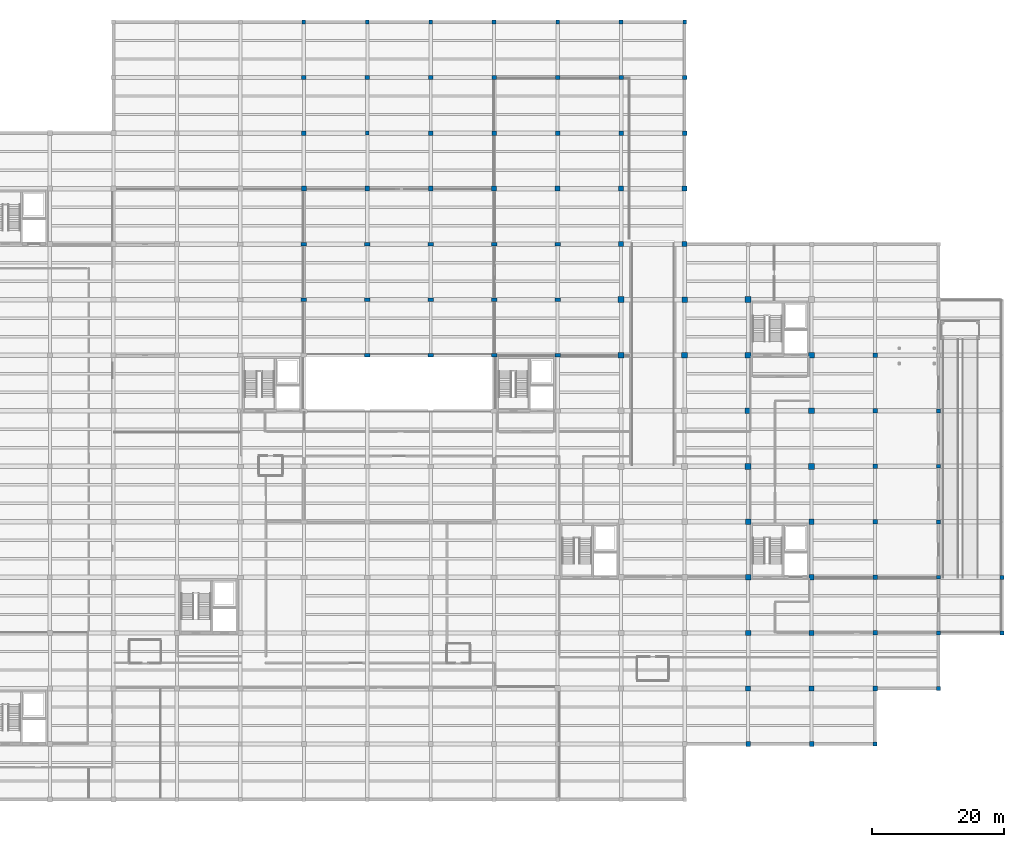
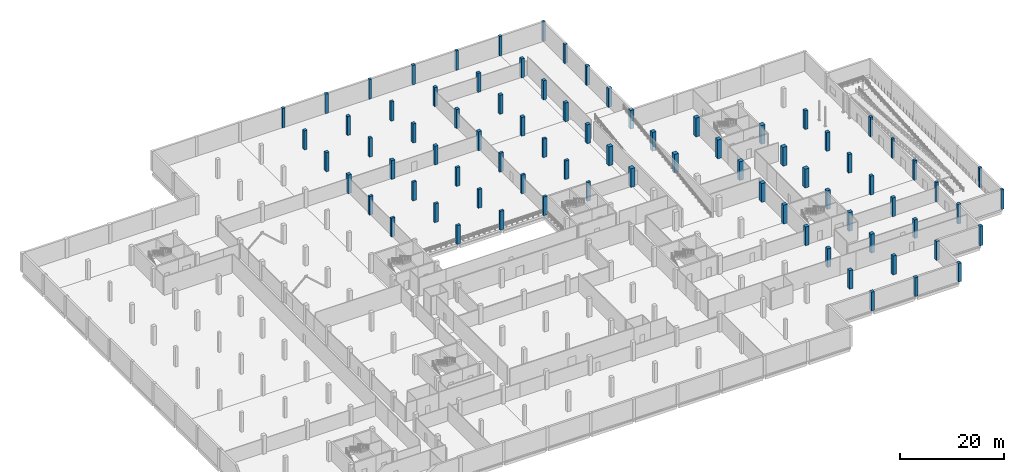
# One storey, part 2 of 30: 81 columns.
"""IFC4 building model written with IfcOpenShell, lengths in metres."""

from ifc_helpers import new_model, si_unit, direction, frame, origin, origin_2d, place, context, subcontext, project, spatial, rectangle, extrude, material, material_profile, profile_set, type_object, element, save


model = new_model("IFC4")

# Units and contexts
model_context = context("Model", 3, precision=1e-05, world=origin(), true_north=direction((0.0, 1.0)))
body_context = subcontext(model_context, "Body", "Model", "MODEL_VIEW")
ifc_project = project(units=[si_unit("LENGTHUNIT", "METRE"), si_unit("AREAUNIT", "SQUARE_METRE"), si_unit("VOLUMEUNIT", "CUBIC_METRE"), si_unit("PLANEANGLEUNIT", "RADIAN"), si_unit("MASSUNIT", "GRAM", prefix="KILO")], contexts=[model_context])

# Site, building, storey
site_placement = place(None, origin())
site = spatial("IfcSite", under=ifc_project, at=site_placement, CompositionType="ELEMENT")
building_placement = place(site_placement, origin())
building = spatial("IfcBuilding", under=site, at=building_placement, Name="Lornevale Opera House", CompositionType="ELEMENT")
storey_placement = place(building_placement, frame((0.0, 0.0, -4.800048828125)))
storey = spatial("IfcBuildingStorey", under=building, at=storey_placement, Name="B1", CompositionType="ELEMENT", Elevation=-4.800048828125)

# Columns
ifc_material_1 = material(Name="Concrete 35 MPa (CSA A23.1 N)", Category="concrete")
ifc_material_profile_1 = material_profile(ifc_material_1, rectangle(XDim=0.550048828125, YDim=0.550048828125, at=origin_2d()), Name="RC550x550")
ifc_profile_set_1 = profile_set([ifc_material_profile_1], Name="Concrete 35 MPa (CSA A23.1 N)")
column_type_1 = type_object("IfcColumnType", Name="Concrete Column 550x550", PredefinedType="COLUMN", material=ifc_profile_set_1)
for number, where, z_axis, x_axis, name in (
    (1, (67.199951171875, 117.60009765625, 0.0), (0.0, 0.0, 1.0), (1.0, 0.0, 0.0), "Concrete Column 550x550 0496"),
    (2, (86.39990234375, 117.60009765625, 0.0), (0.0, 0.0, 1.0), (1.0, 0.0, 0.0), "Concrete Column 550x550 0595"),
    (3, (105.60009765625, 117.60009765625, 0.0), (0.0, 0.0, 1.0), (1.0, 0.0, 0.0), "Concrete Column 550x550 0753"),
    (4, (124.800048828125, 117.60009765625, 0.0), (0.0, 0.0, 1.0), (1.0, 0.0, 0.0), "Concrete Column 550x550 0910"),
    (5, (163.199951171875, 33.60009765625, 0.0), (0.0, 0.0, 1.0), (1.0, 0.0, 0.0), "Concrete Column 550x550 1082"),
    (6, (163.199951171875, 50.39990234375, 0.0), (0.0, 0.0, 1.0), (1.0, 0.0, 0.0), "Concrete Column 550x550 1086"),
    (7, (172.800048828125, 25.199951171875, 0.0), (0.0, 0.0, 1.0), (1.0, 0.0, 0.0), "Concrete Column 550x550 1096"),
):
    element("IfcColumn", number, at=place(storey_placement, frame(where, z_axis=z_axis, x_axis=x_axis)), inside=storey, type_object=column_type_1, Name=name, PredefinedType="COLUMN", context=body_context, shape_type="SweptSolid", body=[
        extrude(rectangle(XDim=0.550048828125, YDim=0.550048828125, at=origin_2d()), origin(), (0.0, 0.0, 1.0), 4.570068359375),
    ])
ifc_material_profile_2 = material_profile(ifc_material_1, rectangle(XDim=0.60009765625, YDim=0.60009765625, at=origin_2d()), Name="RC600x600")
ifc_profile_set_2 = profile_set([ifc_material_profile_2], Name="Concrete 35 MPa (CSA A23.1 N)")
column_type_2 = type_object("IfcColumnType", Name="Concrete Column 600x600", PredefinedType="COLUMN", material=ifc_profile_set_2)
column_1_placement = place(storey_placement, frame((76.800048828125, 100.800048828125, 0.0), z_axis=(0.0, 0.0, 1.0), x_axis=(1.0, 0.0, 0.0)))
element("IfcColumn", 8, at=column_1_placement, inside=storey, type_object=column_type_2, Name="Concrete Column 600x600 0538", PredefinedType="COLUMN", context=body_context, shape_type="SweptSolid", body=[
    extrude(rectangle(XDim=0.60009765625, YDim=0.60009765625, at=origin_2d()), origin(), (0.0, 0.0, 1.0), 4.4599609375),
])
for number, where, z_axis, x_axis, name in (
    (9, (76.800048828125, 117.60009765625, 0.0), (0.0, 0.0, 1.0), (1.0, 0.0, 0.0), "Concrete Column 600x600 0543"),
    (10, (96.0, 117.60009765625, 0.0), (0.0, 0.0, 1.0), (1.0, 0.0, 0.0), "Concrete Column 600x600 0678"),
    (11, (115.199951171875, 117.60009765625, 0.0), (0.0, 0.0, 1.0), (1.0, 0.0, 0.0), "Concrete Column 600x600 0831"),
    (12, (163.199951171875, 42.0, 0.0), (0.0, 0.0, 1.0), (1.0, 0.0, 0.0), "Concrete Column 600x600 1084"),
    (13, (163.199951171875, 58.800048828125, 0.0), (0.0, 0.0, 1.0), (1.0, 0.0, 0.0), "Concrete Column 600x600 1088"),
    (14, (172.800048828125, 33.60009765625, 0.0), (0.0, 0.0, 1.0), (1.0, 0.0, 0.0), "Concrete Column 600x600 1098"),
):
    element("IfcColumn", number, at=place(storey_placement, frame(where, z_axis=z_axis, x_axis=x_axis)), inside=storey, type_object=column_type_2, Name=name, PredefinedType="COLUMN", context=body_context, shape_type="SweptSolid", body=[
        extrude(rectangle(XDim=0.60009765625, YDim=0.60009765625, at=origin_2d()), origin(), (0.0, 0.0, 1.0), 4.570068359375),
    ])
ifc_material_2 = material(Name="Concrete 40 MPa (CSA A23.1 C-1)", Category="concrete")
ifc_material_profile_3 = material_profile(ifc_material_2, rectangle(XDim=0.64990234375, YDim=0.64990234375, at=origin_2d()), Name="RC650x650")
ifc_profile_set_3 = profile_set([ifc_material_profile_3], Name="Concrete 40 MPa (CSA A23.1 C-1)")
column_type_3 = type_object("IfcColumnType", Name="Concrete Column 650x650", PredefinedType="COLUMN", material=ifc_profile_set_3)
for number, where, z_axis, x_axis, name in (
    (15, (67.199951171875, 109.199951171875, 0.0), (0.0, 0.0, 1.0), (1.0, 0.0, 0.0), "Concrete Column 650x650 0493"),
    (16, (76.800048828125, 109.199951171875, 0.0), (0.0, 0.0, 1.0), (1.0, 0.0, 0.0), "Concrete Column 650x650 0540"),
    (17, (86.39990234375, 109.199951171875, 0.0), (0.0, 0.0, 1.0), (1.0, 0.0, 0.0), "Concrete Column 650x650 0592"),
    (18, (96.0, 109.199951171875, 0.0), (0.0, 0.0, 1.0), (1.0, 0.0, 0.0), "Concrete Column 650x650 0675"),
    (19, (105.60009765625, 109.199951171875, 0.0), (0.0, 0.0, 1.0), (1.0, 0.0, 0.0), "Concrete Column 650x650 0750"),
    (20, (115.199951171875, 109.199951171875, 0.0), (0.0, 0.0, 1.0), (1.0, 0.0, 0.0), "Concrete Column 650x650 0828"),
    (21, (124.800048828125, 109.199951171875, 0.0), (0.0, 0.0, 1.0), (1.0, 0.0, 0.0), "Concrete Column 650x650 0907"),
):
    element("IfcColumn", number, at=place(storey_placement, frame(where, z_axis=z_axis, x_axis=x_axis)), inside=storey, type_object=column_type_3, Name=name, PredefinedType="COLUMN", context=body_context, shape_type="SweptSolid", body=[
        extrude(rectangle(XDim=0.64990234375, YDim=0.64990234375, at=origin_2d()), origin(), (0.0, 0.0, 1.0), 4.4599609375),
    ])
column_2_placement = place(storey_placement, frame((153.60009765625, 8.39990234375, 0.0), z_axis=(0.0, 0.0, 1.0), x_axis=(1.0, 0.0, 0.0)))
element("IfcColumn", 22, at=column_2_placement, inside=storey, type_object=column_type_3, Name="Concrete Column 650x650 1038", PredefinedType="COLUMN", context=body_context, shape_type="SweptSolid", body=[
    extrude(rectangle(XDim=0.64990234375, YDim=0.64990234375, at=origin_2d()), origin(), (0.0, 0.0, 1.0), 4.380126953125),
])
for number, where, z_axis, x_axis, name in (
    (23, (163.199951171875, 16.800048828125, 0.0), (0.0, 0.0, 1.0), (1.0, 0.0, 0.0), "Concrete Column 650x650 1076"),
    (24, (163.199951171875, 25.199951171875, 0.0), (0.0, 0.0, 1.0), (1.0, 0.0, 0.0), "Concrete Column 650x650 1079"),
):
    element("IfcColumn", number, at=place(storey_placement, frame(where, z_axis=z_axis, x_axis=x_axis)), inside=storey, type_object=column_type_3, Name=name, PredefinedType="COLUMN", context=body_context, shape_type="SweptSolid", body=[
        extrude(rectangle(XDim=0.64990234375, YDim=0.64990234375, at=origin_2d()), origin(), (0.0, 0.0, 1.0), 4.570068359375),
    ])
ifc_material_profile_4 = material_profile(ifc_material_2, rectangle(XDim=0.699951171875, YDim=0.699951171875, at=origin_2d()), Name="RC700x700")
ifc_profile_set_4 = profile_set([ifc_material_profile_4], Name="Concrete 40 MPa (CSA A23.1 C-1)")
column_type_4 = type_object("IfcColumnType", Name="Concrete Column 700x700", PredefinedType="COLUMN", material=ifc_profile_set_4)
for number, where, z_axis, x_axis, name in (
    (25, (67.199951171875, 100.800048828125, 0.0), (0.0, 0.0, 1.0), (1.0, 0.0, 0.0), "Concrete Column 700x700 0489"),
    (26, (86.39990234375, 100.800048828125, 0.0), (0.0, 0.0, 1.0), (1.0, 0.0, 0.0), "Concrete Column 700x700 0588"),
    (27, (96.0, 100.800048828125, 0.0), (0.0, 0.0, 1.0), (1.0, 0.0, 0.0), "Concrete Column 700x700 0671"),
    (28, (105.60009765625, 100.800048828125, 0.0), (0.0, 0.0, 1.0), (1.0, 0.0, 0.0), "Concrete Column 700x700 0746"),
    (29, (115.199951171875, 100.800048828125, 0.0), (0.0, 0.0, 1.0), (1.0, 0.0, 0.0), "Concrete Column 700x700 0824"),
    (30, (124.800048828125, 100.800048828125, 0.0), (0.0, 0.0, 1.0), (1.0, 0.0, 0.0), "Concrete Column 700x700 0903"),
):
    element("IfcColumn", number, at=place(storey_placement, frame(where, z_axis=z_axis, x_axis=x_axis)), inside=storey, type_object=column_type_4, Name=name, PredefinedType="COLUMN", context=body_context, shape_type="SweptSolid", body=[
        extrude(rectangle(XDim=0.699951171875, YDim=0.699951171875, at=origin_2d()), origin(), (0.0, 0.0, 1.0), 4.4599609375),
    ])
for number, where, z_axis, x_axis, name in (
    (31, (134.39990234375, 8.39990234375, 0.0), (0.0, 0.0, 1.0), (1.0, 0.0, 0.0), "Concrete Column 700x700 0912"),
    (32, (144.0, 8.39990234375, 0.0), (0.0, 0.0, 1.0), (1.0, 0.0, 0.0), "Concrete Column 700x700 0975"),
    (33, (153.60009765625, 16.800048828125, 0.0), (0.0, 0.0, 1.0), (1.0, 0.0, 0.0), "Concrete Column 700x700 1041"),
    (34, (153.60009765625, 25.199951171875, 0.0), (0.0, 0.0, 1.0), (1.0, 0.0, 0.0), "Concrete Column 700x700 1045"),
    (35, (153.60009765625, 33.60009765625, 0.0), (0.0, 0.0, 1.0), (1.0, 0.0, 0.0), "Concrete Column 700x700 1049"),
    (36, (153.60009765625, 42.0, 0.0), (0.0, 0.0, 1.0), (1.0, 0.0, 0.0), "Concrete Column 700x700 1053"),
    (37, (153.60009765625, 50.39990234375, 0.0), (0.0, 0.0, 1.0), (1.0, 0.0, 0.0), "Concrete Column 700x700 1057"),
    (38, (153.60009765625, 58.800048828125, 0.0), (0.0, 0.0, 1.0), (1.0, 0.0, 0.0), "Concrete Column 700x700 1061"),
    (39, (153.60009765625, 67.199951171875, 0.0), (0.0, 0.0, 1.0), (1.0, 0.0, 0.0), "Concrete Column 700x700 1065"),
):
    element("IfcColumn", number, at=place(storey_placement, frame(where, z_axis=z_axis, x_axis=x_axis)), inside=storey, type_object=column_type_4, Name=name, PredefinedType="COLUMN", context=body_context, shape_type="SweptSolid", body=[
        extrude(rectangle(XDim=0.699951171875, YDim=0.699951171875, at=origin_2d()), origin(), (0.0, 0.0, 1.0), 4.380126953125),
    ])
ifc_material_profile_5 = material_profile(ifc_material_2, rectangle(XDim=0.75, YDim=0.75, at=origin_2d()), Name="RC750x750")
ifc_profile_set_5 = profile_set([ifc_material_profile_5], Name="Concrete 40 MPa (CSA A23.1 C-1)")
column_type_5 = type_object("IfcColumnType", Name="Concrete Column 750x750", PredefinedType="COLUMN", material=ifc_profile_set_5)
for number, where, z_axis, x_axis, name in (
    (40, (67.199951171875, 92.39990234375, 0.0), (0.0, 0.0, 1.0), (1.0, 0.0, 0.0), "Concrete Column 750x750 0484"),
    (41, (76.800048828125, 92.39990234375, 0.0), (0.0, 0.0, 1.0), (1.0, 0.0, 0.0), "Concrete Column 750x750 0533"),
    (42, (86.39990234375, 92.39990234375, 0.0), (0.0, 0.0, 1.0), (1.0, 0.0, 0.0), "Concrete Column 750x750 0583"),
    (43, (96.0, 92.39990234375, 0.0), (0.0, 0.0, 1.0), (1.0, 0.0, 0.0), "Concrete Column 750x750 0666"),
    (44, (105.60009765625, 92.39990234375, 0.0), (0.0, 0.0, 1.0), (1.0, 0.0, 0.0), "Concrete Column 750x750 0741"),
    (45, (115.199951171875, 84.0, 0.0), (0.0, 0.0, 1.0), (1.0, 0.0, 0.0), "Concrete Column 750x750 0814"),
    (46, (115.199951171875, 92.39990234375, 0.0), (0.0, 0.0, 1.0), (1.0, 0.0, 0.0), "Concrete Column 750x750 0819"),
    (47, (124.800048828125, 84.0, 0.0), (0.0, 0.0, 1.0), (1.0, 0.0, 0.0), "Concrete Column 750x750 0893"),
    (48, (124.800048828125, 92.39990234375, 0.0), (0.0, 0.0, 1.0), (1.0, 0.0, 0.0), "Concrete Column 750x750 0898"),
    (49, (134.39990234375, 16.800048828125, 0.0), (0.0, 0.0, 1.0), (1.0, 0.0, 0.0), "Concrete Column 750x750 0916"),
    (50, (144.0, 16.800048828125, 0.0), (0.0, 0.0, 1.0), (1.0, 0.0, 0.0), "Concrete Column 750x750 0979"),
):
    element("IfcColumn", number, at=place(storey_placement, frame(where, z_axis=z_axis, x_axis=x_axis)), inside=storey, type_object=column_type_5, Name=name, PredefinedType="COLUMN", context=body_context, shape_type="SweptSolid", body=[
        extrude(rectangle(XDim=0.75, YDim=0.75, at=origin_2d()), origin(), (0.0, 0.0, 1.0), 4.380126953125),
    ])
ifc_material_profile_6 = material_profile(ifc_material_2, rectangle(XDim=0.800048828125, YDim=0.800048828125, at=origin_2d()), Name="RC800x800")
ifc_profile_set_6 = profile_set([ifc_material_profile_6], Name="Concrete 40 MPa (CSA A23.1 C-1)")
column_type_6 = type_object("IfcColumnType", Name="Concrete Column 800x800", PredefinedType="COLUMN", material=ifc_profile_set_6)
for number, where, z_axis, x_axis, name in (
    (51, (134.39990234375, 25.199951171875, 0.0), (0.0, 0.0, 1.0), (1.0, 0.0, 0.0), "Concrete Column 800x800 0921"),
    (52, (134.39990234375, 33.60009765625, 0.0), (0.0, 0.0, 1.0), (1.0, 0.0, 0.0), "Concrete Column 800x800 0927"),
    (53, (134.39990234375, 42.0, 0.0), (0.0, 0.0, 1.0), (1.0, 0.0, 0.0), "Concrete Column 800x800 0933"),
    (54, (144.0, 25.199951171875, 0.0), (0.0, 0.0, 1.0), (1.0, 0.0, 0.0), "Concrete Column 800x800 0984"),
    (55, (144.0, 33.60009765625, 0.0), (0.0, 0.0, 1.0), (1.0, 0.0, 0.0), "Concrete Column 800x800 0990"),
    (56, (144.0, 42.0, 0.0), (0.0, 0.0, 1.0), (1.0, 0.0, 0.0), "Concrete Column 800x800 0996"),
):
    element("IfcColumn", number, at=place(storey_placement, frame(where, z_axis=z_axis, x_axis=x_axis)), inside=storey, type_object=column_type_6, Name=name, PredefinedType="COLUMN", context=body_context, shape_type="SweptSolid", body=[
        extrude(rectangle(XDim=0.800048828125, YDim=0.800048828125, at=origin_2d()), origin(), (0.0, 0.0, 1.0), 4.380126953125),
    ])
ifc_material_profile_7 = material_profile(ifc_material_2, rectangle(XDim=0.85009765625, YDim=0.85009765625, at=origin_2d()), Name="RC850x850")
ifc_profile_set_7 = profile_set([ifc_material_profile_7], Name="Concrete 40 MPa (CSA A23.1 C-1)")
column_type_7 = type_object("IfcColumnType", Name="Concrete Column 850x850", PredefinedType="COLUMN", material=ifc_profile_set_7)
column_3_placement = place(storey_placement, frame((124.800048828125, 75.60009765625, 0.0), z_axis=(0.0, 0.0, 1.0), x_axis=(1.0, 0.0, 0.0)))
element("IfcColumn", 57, at=column_3_placement, inside=storey, type_object=column_type_7, Name="Concrete Column 850x850 0886", PredefinedType="COLUMN", context=body_context, shape_type="SweptSolid", body=[
    extrude(rectangle(XDim=0.85009765625, YDim=0.85009765625, at=origin_2d()), origin(), (0.0, 0.0, 1.0), 4.380126953125),
])
ifc_material_profile_8 = material_profile(ifc_material_2, rectangle(XDim=0.89990234375, YDim=0.89990234375, at=origin_2d()), Name="RC900x900")
ifc_profile_set_8 = profile_set([ifc_material_profile_8], Name="Concrete 40 MPa (CSA A23.1 C-1)")
column_type_8 = type_object("IfcColumnType", Name="Concrete Column 900x900", PredefinedType="COLUMN", material=ifc_profile_set_8)
for number, where, z_axis, x_axis, name in (
    (58, (115.199951171875, 67.199951171875, 0.0), (0.0, 0.0, 1.0), (1.0, 0.0, 0.0), "Concrete Column 900x900 0798"),
    (59, (115.199951171875, 75.60009765625, 0.0), (0.0, 0.0, 1.0), (1.0, 0.0, 0.0), "Concrete Column 900x900 0806"),
    (60, (124.800048828125, 67.199951171875, 0.0), (0.0, 0.0, 1.0), (1.0, 0.0, 0.0), "Concrete Column 900x900 0878"),
    (61, (134.39990234375, 50.39990234375, 0.0), (0.0, 0.0, 1.0), (1.0, 0.0, 0.0), "Concrete Column 900x900 0939"),
    (62, (134.39990234375, 58.800048828125, 0.0), (0.0, 0.0, 1.0), (1.0, 0.0, 0.0), "Concrete Column 900x900 0947"),
    (63, (134.39990234375, 67.199951171875, 0.0), (0.0, 0.0, 1.0), (1.0, 0.0, 0.0), "Concrete Column 900x900 0955"),
    (64, (134.39990234375, 75.60009765625, 0.0), (0.0, 0.0, 1.0), (1.0, 0.0, 0.0), "Concrete Column 900x900 0963"),
    (65, (144.0, 50.39990234375, 0.0), (0.0, 0.0, 1.0), (1.0, 0.0, 0.0), "Concrete Column 900x900 1002"),
    (66, (144.0, 58.800048828125, 0.0), (0.0, 0.0, 1.0), (1.0, 0.0, 0.0), "Concrete Column 900x900 1010"),
    (67, (144.0, 67.199951171875, 0.0), (0.0, 0.0, 1.0), (1.0, 0.0, 0.0), "Concrete Column 900x900 1018"),
):
    element("IfcColumn", number, at=place(storey_placement, frame(where, z_axis=z_axis, x_axis=x_axis)), inside=storey, type_object=column_type_8, Name=name, PredefinedType="COLUMN", context=body_context, shape_type="SweptSolid", body=[
        extrude(rectangle(XDim=0.89990234375, YDim=0.89990234375, at=origin_2d()), origin(), (0.0, 0.0, 1.0), 4.380126953125),
    ])
ifc_material_profile_9 = material_profile(ifc_material_2, rectangle(XDim=0.800048828125, YDim=0.5, at=origin_2d()), Name="RC800x500")
ifc_profile_set_9 = profile_set([ifc_material_profile_9], Name="Concrete 40 MPa (CSA A23.1 C-1)")
column_type_9 = type_object("IfcColumnType", Name="Stage Pier Column 800x500", PredefinedType="COLUMN", material=ifc_profile_set_9)
for number, where, z_axis, x_axis, name in (
    (68, (67.199951171875, 75.60009765625, 0.0), (0.0, 0.0, 1.0), (1.0, 0.0, 0.0), "Stage Pier Column 800x500 0468"),
    (69, (67.199951171875, 84.0, 0.0), (0.0, 0.0, 1.0), (1.0, 0.0, 0.0), "Stage Pier Column 800x500 0476"),
    (70, (76.800048828125, 67.199951171875, 0.0), (0.0, 0.0, 1.0), (1.0, 0.0, 0.0), "Stage Pier Column 800x500 0527"),
    (71, (76.800048828125, 75.60009765625, 0.0), (0.0, 0.0, 1.0), (1.0, 0.0, 0.0), "Stage Pier Column 800x500 0529"),
    (72, (76.800048828125, 84.0, 0.0), (0.0, 0.0, 1.0), (1.0, 0.0, 0.0), "Stage Pier Column 800x500 0531"),
    (73, (86.39990234375, 67.199951171875, 0.0), (0.0, 0.0, 1.0), (1.0, 0.0, 0.0), "Stage Pier Column 800x500 0577"),
    (74, (86.39990234375, 75.60009765625, 0.0), (0.0, 0.0, 1.0), (1.0, 0.0, 0.0), "Stage Pier Column 800x500 0579"),
    (75, (86.39990234375, 84.0, 0.0), (0.0, 0.0, 1.0), (1.0, 0.0, 0.0), "Stage Pier Column 800x500 0581"),
    (76, (96.0, 67.199951171875, 0.0), (0.0, 0.0, 1.0), (1.0, 0.0, 0.0), "Stage Pier Column 800x500 0642"),
    (77, (96.0, 75.60009765625, 0.0), (0.0, 0.0, 1.0), (1.0, 0.0, 0.0), "Stage Pier Column 800x500 0650"),
    (78, (96.0, 84.0, 0.0), (0.0, 0.0, 1.0), (1.0, 0.0, 0.0), "Stage Pier Column 800x500 0658"),
    (79, (105.60009765625, 67.199951171875, 0.0), (0.0, 0.0, 1.0), (1.0, 0.0, 0.0), "Stage Pier Column 800x500 0723"),
    (80, (105.60009765625, 75.60009765625, 0.0), (0.0, 0.0, 1.0), (1.0, 0.0, 0.0), "Stage Pier Column 800x500 0731"),
    (81, (105.60009765625, 84.0, 0.0), (0.0, 0.0, 1.0), (1.0, 0.0, 0.0), "Stage Pier Column 800x500 0733"),
):
    element("IfcColumn", number, at=place(storey_placement, frame(where, z_axis=z_axis, x_axis=x_axis)), inside=storey, type_object=column_type_9, Name=name, PredefinedType="COLUMN", context=body_context, shape_type="SweptSolid", body=[
        extrude(rectangle(XDim=0.800048828125, YDim=0.5, at=origin_2d()), origin(), (0.0, 0.0, 1.0), 4.380126953125),
    ])

save(model, "model.ifc")
